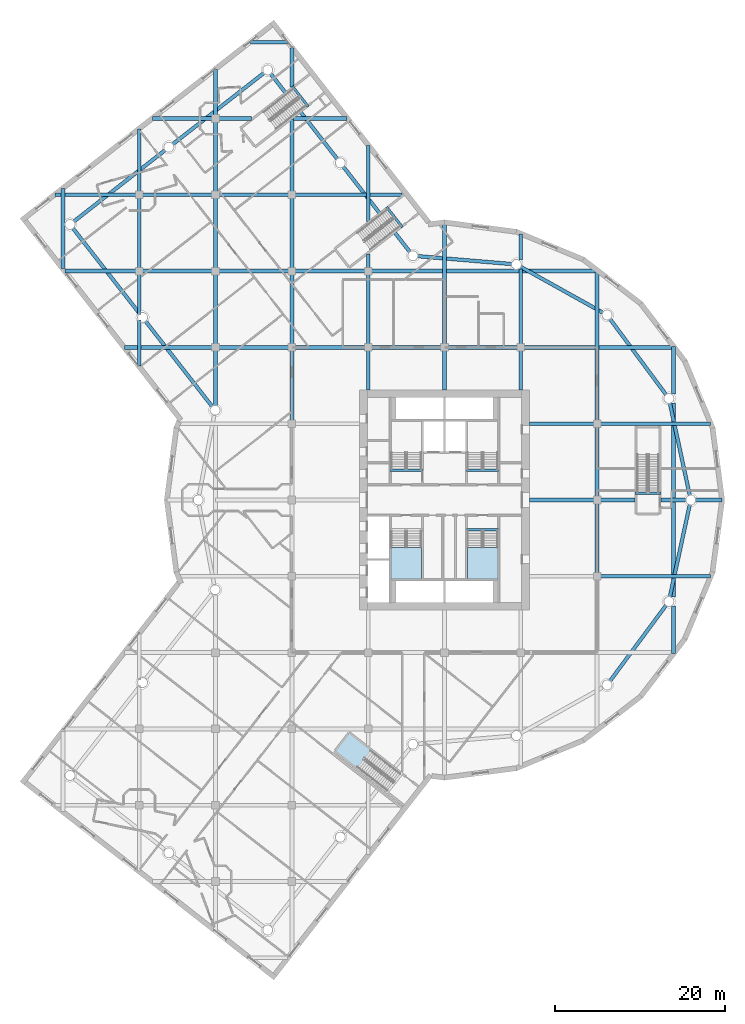
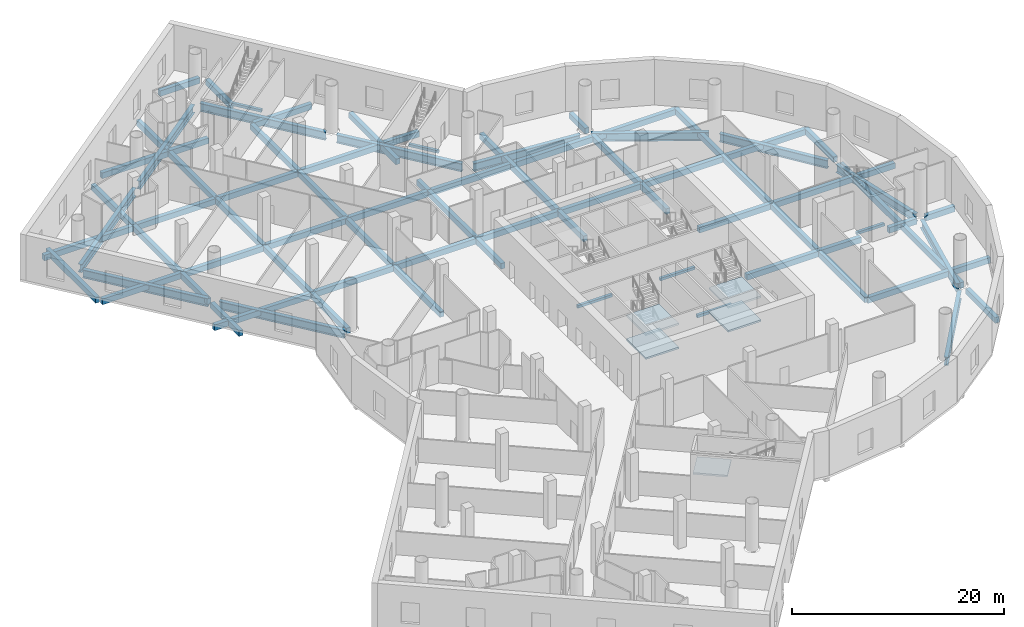
# One storey, part 2 of 23: 74 beams, 5 slabs, 3 elements without a shape of their own.
"""IFC4 building model written with IfcOpenShell, lengths in metres."""

from ifc_helpers import new_model, si_unit, direction, frame, origin, origin_2d, place, context, subcontext, project, spatial, polyline, rectangle, i_section, outline, extrude, material, layer, layer_set, material_profile, profile_set, type_object, element, aggregate, save


model = new_model("IFC4")

# Units and contexts
model_context = context("Model", 3, precision=1e-05, world=origin(), true_north=direction((0.0, 1.0)))
body_context = subcontext(model_context, "Body", "Model", "MODEL_VIEW")
ifc_project = project(units=[si_unit("LENGTHUNIT", "METRE"), si_unit("AREAUNIT", "SQUARE_METRE"), si_unit("VOLUMEUNIT", "CUBIC_METRE"), si_unit("PLANEANGLEUNIT", "RADIAN"), si_unit("MASSUNIT", "GRAM", prefix="KILO")], contexts=[model_context])

# Site, building, storey
site_placement = place(None, origin())
site = spatial("IfcSite", under=ifc_project, at=site_placement, CompositionType="ELEMENT")
building_placement = place(site_placement, origin())
building = spatial("IfcBuilding", under=site, at=building_placement, Name="Tarsis Ring Headquarters", CompositionType="ELEMENT")
storey_placement = place(building_placement, frame((0.0, 0.0, 19.5)))
storey = spatial("IfcBuildingStorey", under=building, at=storey_placement, Name="L03", CompositionType="ELEMENT", Elevation=19.5)

# Beams
ifc_material_1 = material(Name="Concrete C40/50", Category="concrete")
ifc_material_profile_1 = material_profile(ifc_material_1, rectangle(XDim=0.449951171875, YDim=0.64990234375, at=origin_2d()), Name="PO-B450")
ifc_profile_set_1 = profile_set([ifc_material_profile_1], Name="Concrete C40/50")
beam_type_1 = type_object("IfcBeamType", Name="PO-B450", PredefinedType="BEAM", material=ifc_profile_set_1)
beam_1_placement = place(storey_placement, frame((-45.0, 27.3046875, -0.574951171875), z_axis=(0.0, 1.0, 0.0), x_axis=(-1.0, 0.0, 0.0)))
element("IfcBeam", 1, at=beam_1_placement, inside=storey, type_object=beam_type_1, Name="L03 floor beam 2", PredefinedType="BEAM", context=body_context, shape_type="SweptSolid", body=[
    extrude(rectangle(XDim=0.449951171875, YDim=0.64990234375, at=origin_2d()), origin(), (0.0, 0.0, 1.0), 9.42724609375),
])
beam_2_placement = place(storey_placement, frame((-36.0, 15.78515625, -0.574951171875), z_axis=(0.0, 1.0, 0.0), x_axis=(-1.0, 0.0, 0.0)))
element("IfcBeam", 2, at=beam_2_placement, inside=storey, type_object=beam_type_1, Name="L03 floor beam 7", PredefinedType="BEAM", context=body_context, shape_type="SweptSolid", body=[
    extrude(rectangle(XDim=0.449951171875, YDim=0.64990234375, at=origin_2d()), origin(), (0.0, 0.0, 1.0), 5.44140625),
])
beam_3_placement = place(storey_placement, frame((-36.0, 21.853515625, -0.574951171875), z_axis=(0.0, 1.0, 0.0), x_axis=(-1.0, 0.0, 0.0)))
element("IfcBeam", 3, at=beam_3_placement, inside=storey, type_object=beam_type_1, Name="L03 floor beam 8", PredefinedType="BEAM", context=body_context, shape_type="SweptSolid", body=[
    extrude(rectangle(XDim=0.449951171875, YDim=0.64990234375, at=origin_2d()), origin(), (0.0, 0.0, 1.0), 5.146484375),
])
beam_4_placement = place(storey_placement, frame((-36.0, 27.0, -0.574951171875), z_axis=(0.0, 1.0, 0.0), x_axis=(-1.0, 0.0, 0.0)))
element("IfcBeam", 4, at=beam_4_placement, inside=storey, type_object=beam_type_1, Name="L03 floor beam 9", PredefinedType="BEAM", context=body_context, shape_type="SweptSolid", body=[
    extrude(rectangle(XDim=0.449951171875, YDim=0.64990234375, at=origin_2d()), origin(), (0.0, 0.0, 1.0), 9.0),
])
beam_5_placement = place(storey_placement, frame((-36.0, 36.0, -0.574951171875), z_axis=(0.0, 1.0, 0.0), x_axis=(-1.0, 0.0, 0.0)))
element("IfcBeam", 5, at=beam_5_placement, inside=storey, type_object=beam_type_1, Name="L03 floor beam 10", PredefinedType="BEAM", context=body_context, shape_type="SweptSolid", body=[
    extrude(rectangle(XDim=0.449951171875, YDim=0.64990234375, at=origin_2d()), origin(), (0.0, 0.0, 1.0), 7.763671875),
])
beam_6_placement = place(storey_placement, frame((-27.0, 11.082275390625, -0.574951171875), z_axis=(0.0, 1.0, 0.0), x_axis=(-1.0, 0.0, 0.0)))
element("IfcBeam", 6, at=beam_6_placement, inside=storey, type_object=beam_type_1, Name="L03 floor beam 17", PredefinedType="BEAM", context=body_context, shape_type="SweptSolid", body=[
    extrude(rectangle(XDim=0.449951171875, YDim=0.64990234375, at=origin_2d()), origin(), (0.0, 0.0, 1.0), 6.917724609375),
])
for number, where, z_axis, x_axis, name in (
    (7, (-27.0, 18.0, -0.574951171875), (0.0, 1.0, 0.0), (-1.0, 0.0, 0.0), "L03 floor beam 18"),
    (8, (-27.0, 27.0, -0.574951171875), (0.0, 1.0, 0.0), (-1.0, 0.0, 0.0), "L03 floor beam 19"),
    (9, (-27.0, 36.0, -0.574951171875), (0.0, 1.0, 0.0), (-1.0, 0.0, 0.0), "L03 floor beam 20"),
):
    element("IfcBeam", number, at=place(storey_placement, frame(where, z_axis=z_axis, x_axis=x_axis)), inside=storey, type_object=beam_type_1, Name=name, PredefinedType="BEAM", context=body_context, shape_type="SweptSolid", body=[
        extrude(rectangle(XDim=0.449951171875, YDim=0.64990234375, at=origin_2d()), origin(), (0.0, 0.0, 1.0), 9.0),
    ])
beam_7_placement = place(storey_placement, frame((-27.0, 45.0, -0.574951171875), z_axis=(0.0, 1.0, 0.0), x_axis=(-1.0, 0.0, 0.0)))
element("IfcBeam", 10, at=beam_7_placement, inside=storey, type_object=beam_type_1, Name="L03 floor beam 21", PredefinedType="BEAM", context=body_context, shape_type="SweptSolid", body=[
    extrude(rectangle(XDim=0.449951171875, YDim=0.64990234375, at=origin_2d()), origin(), (0.0, 0.0, 1.0), 5.795166015625),
])
for number, where, z_axis, x_axis, name in (
    (11, (-18.0, 9.0, -0.574951171875), (0.0, 1.0, 0.0), (-1.0, 0.0, 0.0), "L03 floor beam 29"),
    (12, (-18.0, 18.0, -0.574951171875), (0.0, 1.0, 0.0), (-1.0, 0.0, 0.0), "L03 floor beam 30"),
    (13, (-18.0, 27.0, -0.574951171875), (0.0, 1.0, 0.0), (-1.0, 0.0, 0.0), "L03 floor beam 31"),
):
    element("IfcBeam", number, at=place(storey_placement, frame(where, z_axis=z_axis, x_axis=x_axis)), inside=storey, type_object=beam_type_1, Name=name, PredefinedType="BEAM", context=body_context, shape_type="SweptSolid", body=[
        extrude(rectangle(XDim=0.449951171875, YDim=0.64990234375, at=origin_2d()), origin(), (0.0, 0.0, 1.0), 9.0),
    ])
beam_8_placement = place(storey_placement, frame((-18.0, 36.0, -0.574951171875), z_axis=(0.0, 1.0, 0.0), x_axis=(-1.0, 0.0, 0.0)))
element("IfcBeam", 14, at=beam_8_placement, inside=storey, type_object=beam_type_1, Name="L03 floor beam 32", PredefinedType="BEAM", context=body_context, shape_type="SweptSolid", body=[
    extrude(rectangle(XDim=0.449951171875, YDim=0.64990234375, at=origin_2d()), origin(), (0.0, 0.0, 1.0), 8.8623046875),
])
beam_9_placement = place(storey_placement, frame((-18.0, 48.7314453125, -0.574951171875), z_axis=(0.0, 1.0, 0.0), x_axis=(-1.0, 0.0, 0.0)))
element("IfcBeam", 15, at=beam_9_placement, inside=storey, type_object=beam_type_1, Name="L03 floor beam 33", PredefinedType="BEAM", context=body_context, shape_type="SweptSolid", body=[
    extrude(rectangle(XDim=0.449951171875, YDim=0.64990234375, at=origin_2d()), origin(), (0.0, 0.0, 1.0), 4.60009765625),
])
beam_10_placement = place(storey_placement, frame((-9.0, 13.0, -0.574951171875), z_axis=(0.0, 1.0, 0.0), x_axis=(-1.0, 0.0, 0.0)))
element("IfcBeam", 16, at=beam_10_placement, inside=storey, type_object=beam_type_1, Name="L03 floor beam 38", PredefinedType="BEAM", context=body_context, shape_type="SweptSolid", body=[
    extrude(rectangle(XDim=0.449951171875, YDim=0.64990234375, at=origin_2d()), origin(), (0.0, 0.0, 1.0), 5.0),
])
beam_11_placement = place(storey_placement, frame((-9.0, 18.0, -0.574951171875), z_axis=(0.0, 1.0, 0.0), x_axis=(-1.0, 0.0, 0.0)))
element("IfcBeam", 17, at=beam_11_placement, inside=storey, type_object=beam_type_1, Name="L03 floor beam 39", PredefinedType="BEAM", context=body_context, shape_type="SweptSolid", body=[
    extrude(rectangle(XDim=0.449951171875, YDim=0.64990234375, at=origin_2d()), origin(), (0.0, 0.0, 1.0), 9.0),
])
beam_12_placement = place(storey_placement, frame((-9.0, 27.0, -0.574951171875), z_axis=(0.0, 1.0, 0.0), x_axis=(-1.0, 0.0, 0.0)))
element("IfcBeam", 18, at=beam_12_placement, inside=storey, type_object=beam_type_1, Name="L03 floor beam 40", PredefinedType="BEAM", context=body_context, shape_type="SweptSolid", body=[
    extrude(rectangle(XDim=0.449951171875, YDim=0.64990234375, at=origin_2d()), origin(), (0.0, 0.0, 1.0), 2.003173828125),
])
beam_13_placement = place(storey_placement, frame((-9.0, 32.872314453125, -0.574951171875), z_axis=(0.0, 1.0, 0.0), x_axis=(-1.0, 0.0, 0.0)))
element("IfcBeam", 19, at=beam_13_placement, inside=storey, type_object=beam_type_1, Name="L03 floor beam 41", PredefinedType="BEAM", context=body_context, shape_type="SweptSolid", body=[
    extrude(rectangle(XDim=0.449951171875, YDim=0.64990234375, at=origin_2d()), origin(), (0.0, 0.0, 1.0), 8.939697265625),
])
beam_14_placement = place(storey_placement, frame((0.0, 13.0, -0.574951171875), z_axis=(0.0, 1.0, 0.0), x_axis=(-1.0, 0.0, 0.0)))
element("IfcBeam", 20, at=beam_14_placement, inside=storey, type_object=beam_type_1, Name="L03 floor beam 44", PredefinedType="BEAM", context=body_context, shape_type="SweptSolid", body=[
    extrude(rectangle(XDim=0.449951171875, YDim=0.64990234375, at=origin_2d()), origin(), (0.0, 0.0, 1.0), 5.0),
])
beam_15_placement = place(storey_placement, frame((0.0, 18.0, -0.574951171875), z_axis=(0.0, 1.0, 0.0), x_axis=(-1.0, 0.0, 0.0)))
element("IfcBeam", 21, at=beam_15_placement, inside=storey, type_object=beam_type_1, Name="L03 floor beam 45", PredefinedType="BEAM", context=body_context, shape_type="SweptSolid", body=[
    extrude(rectangle(XDim=0.449951171875, YDim=0.64990234375, at=origin_2d()), origin(), (0.0, 0.0, 1.0), 14.70458984375),
])
beam_16_placement = place(storey_placement, frame((9.0, 13.0, -0.574951171875), z_axis=(0.0, 1.0, 0.0), x_axis=(-1.0, 0.0, 0.0)))
element("IfcBeam", 22, at=beam_16_placement, inside=storey, type_object=beam_type_1, Name="L03 floor beam 49", PredefinedType="BEAM", context=body_context, shape_type="SweptSolid", body=[
    extrude(rectangle(XDim=0.449951171875, YDim=0.64990234375, at=origin_2d()), origin(), (0.0, 0.0, 1.0), 5.0),
])
beam_17_placement = place(storey_placement, frame((9.0, 18.0, -0.574951171875), z_axis=(0.0, 1.0, 0.0), x_axis=(-1.0, 0.0, 0.0)))
element("IfcBeam", 23, at=beam_17_placement, inside=storey, type_object=beam_type_1, Name="L03 floor beam 50", PredefinedType="BEAM", context=body_context, shape_type="SweptSolid", body=[
    extrude(rectangle(XDim=0.449951171875, YDim=0.64990234375, at=origin_2d()), origin(), (0.0, 0.0, 1.0), 9.245361328125),
])
beam_18_placement = place(storey_placement, frame((9.0, 28.3212890625, -0.574951171875), z_axis=(0.0, 1.0, 0.0), x_axis=(-1.0, 0.0, 0.0)))
element("IfcBeam", 24, at=beam_18_placement, inside=storey, type_object=beam_type_1, Name="L03 floor beam 51", PredefinedType="BEAM", context=body_context, shape_type="SweptSolid", body=[
    extrude(rectangle(XDim=0.449951171875, YDim=0.64990234375, at=origin_2d()), origin(), (0.0, 0.0, 1.0), 3.050048828125),
])
for number, where, z_axis, x_axis, name in (
    (25, (18.0, -9.0, -0.574951171875), (0.0, 1.0, 0.0), (-1.0, 0.0, 0.0), "L03 floor beam 53"),
    (26, (18.0, 0.0, -0.574951171875), (0.0, 1.0, 0.0), (-1.0, 0.0, 0.0), "L03 floor beam 54"),
):
    element("IfcBeam", number, at=place(storey_placement, frame(where, z_axis=z_axis, x_axis=x_axis)), inside=storey, type_object=beam_type_1, Name=name, PredefinedType="BEAM", context=body_context, shape_type="SweptSolid", body=[
        extrude(rectangle(XDim=0.449951171875, YDim=0.64990234375, at=origin_2d()), origin(), (0.0, 0.0, 1.0), 9.0),
    ])
beam_19_placement = place(storey_placement, frame((18.0, 9.0, -0.574951171875), z_axis=(0.0, 1.0, 0.0), x_axis=(-1.0, 0.0, 0.0)))
element("IfcBeam", 27, at=beam_19_placement, inside=storey, type_object=beam_type_1, Name="L03 floor beam 55", PredefinedType="BEAM", context=body_context, shape_type="SweptSolid", body=[
    extrude(rectangle(XDim=0.449951171875, YDim=0.64990234375, at=origin_2d()), origin(), (0.0, 0.0, 1.0), 18.062255859375),
])
beam_20_placement = place(storey_placement, frame((27.0, -18.0810546875, -0.574951171875), z_axis=(0.0, 1.0, 0.0), x_axis=(-1.0, 0.0, 0.0)))
element("IfcBeam", 28, at=beam_20_placement, inside=storey, type_object=beam_type_1, Name="L03 floor beam 56", PredefinedType="BEAM", context=body_context, shape_type="SweptSolid", body=[
    extrude(rectangle(XDim=0.449951171875, YDim=0.64990234375, at=origin_2d()), origin(), (0.0, 0.0, 1.0), 5.58203125),
])
beam_21_placement = place(storey_placement, frame((27.0, -11.447998046875, -0.574951171875), z_axis=(0.0, 1.0, 0.0), x_axis=(-1.0, 0.0, 0.0)))
element("IfcBeam", 29, at=beam_21_placement, inside=storey, type_object=beam_type_1, Name="L03 floor beam 57", PredefinedType="BEAM", context=body_context, shape_type="SweptSolid", body=[
    extrude(rectangle(XDim=0.449951171875, YDim=0.64990234375, at=origin_2d()), origin(), (0.0, 0.0, 1.0), 22.89599609375),
])
beam_22_placement = place(storey_placement, frame((27.0, 12.4990234375, -0.574951171875), z_axis=(0.0, 1.0, 0.0), x_axis=(-1.0, 0.0, 0.0)))
element("IfcBeam", 30, at=beam_22_placement, inside=storey, type_object=beam_type_1, Name="L03 floor beam 58", PredefinedType="BEAM", context=body_context, shape_type="SweptSolid", body=[
    extrude(rectangle(XDim=0.449951171875, YDim=0.64990234375, at=origin_2d()), origin(), (0.0, 0.0, 1.0), 5.58203125),
])
beam_23_placement = place(storey_placement, frame((18.0, -9.0, -0.574951171875), z_axis=(1.0, 0.0, 0.0), x_axis=(0.0, 1.0, 0.0)))
element("IfcBeam", 31, at=beam_23_placement, inside=storey, type_object=beam_type_1, Name="L03 floor beam 81", PredefinedType="BEAM", context=body_context, shape_type="SweptSolid", body=[
    extrude(rectangle(XDim=0.449951171875, YDim=0.64990234375, at=origin_2d()), origin(), (0.0, 0.0, 1.0), 13.371337890625),
])
beam_24_placement = place(storey_placement, frame((10.0, 0.0, -0.574951171875), z_axis=(1.0, 0.0, 0.0), x_axis=(0.0, 1.0, 0.0)))
element("IfcBeam", 32, at=beam_24_placement, inside=storey, type_object=beam_type_1, Name="L03 floor beam 85", PredefinedType="BEAM", context=body_context, shape_type="SweptSolid", body=[
    extrude(rectangle(XDim=0.449951171875, YDim=0.64990234375, at=origin_2d()), origin(), (0.0, 0.0, 1.0), 8.0),
])
beam_25_placement = place(storey_placement, frame((18.0, 0.0, -0.574951171875), z_axis=(1.0, 0.0, 0.0), x_axis=(0.0, 1.0, 0.0)))
element("IfcBeam", 33, at=beam_25_placement, inside=storey, type_object=beam_type_1, Name="L03 floor beam 86", PredefinedType="BEAM", context=body_context, shape_type="SweptSolid", body=[
    extrude(rectangle(XDim=0.449951171875, YDim=0.64990234375, at=origin_2d()), origin(), (0.0, 0.0, 1.0), 4.47509765625),
])
beam_26_placement = place(storey_placement, frame((25.52490234375, 0.0, -0.574951171875), z_axis=(1.0, 0.0, 0.0), x_axis=(0.0, 1.0, 0.0)))
element("IfcBeam", 34, at=beam_26_placement, inside=storey, type_object=beam_type_1, Name="L03 floor beam 87", PredefinedType="BEAM", context=body_context, shape_type="SweptSolid", body=[
    extrude(rectangle(XDim=0.449951171875, YDim=0.64990234375, at=origin_2d()), origin(), (0.0, 0.0, 1.0), 3.023681640625),
])
beam_27_placement = place(storey_placement, frame((29.548583984375, 0.0, -0.574951171875), z_axis=(1.0, 0.0, 0.0), x_axis=(0.0, 1.0, 0.0)))
element("IfcBeam", 35, at=beam_27_placement, inside=storey, type_object=beam_type_1, Name="L03 floor beam 88", PredefinedType="BEAM", context=body_context, shape_type="SweptSolid", body=[
    extrude(rectangle(XDim=0.449951171875, YDim=0.64990234375, at=origin_2d()), origin(), (0.0, 0.0, 1.0), 3.156005859375),
])
beam_28_placement = place(storey_placement, frame((10.0, 9.0, -0.574951171875), z_axis=(1.0, 0.0, 0.0), x_axis=(0.0, 1.0, 0.0)))
element("IfcBeam", 36, at=beam_28_placement, inside=storey, type_object=beam_type_1, Name="L03 floor beam 91", PredefinedType="BEAM", context=body_context, shape_type="SweptSolid", body=[
    extrude(rectangle(XDim=0.449951171875, YDim=0.64990234375, at=origin_2d()), origin(), (0.0, 0.0, 1.0), 8.0),
])
beam_29_placement = place(storey_placement, frame((18.0, 9.0, -0.574951171875), z_axis=(1.0, 0.0, 0.0), x_axis=(0.0, 1.0, 0.0)))
element("IfcBeam", 37, at=beam_29_placement, inside=storey, type_object=beam_type_1, Name="L03 floor beam 92", PredefinedType="BEAM", context=body_context, shape_type="SweptSolid", body=[
    extrude(rectangle(XDim=0.449951171875, YDim=0.64990234375, at=origin_2d()), origin(), (0.0, 0.0, 1.0), 13.371337890625),
])
beam_30_placement = place(storey_placement, frame((-37.730224609375, 18.0, -0.574951171875), z_axis=(1.0, 0.0, 0.0), x_axis=(0.0, 1.0, 0.0)))
element("IfcBeam", 38, at=beam_30_placement, inside=storey, type_object=beam_type_1, Name="L03 floor beam 93", PredefinedType="BEAM", context=body_context, shape_type="SweptSolid", body=[
    extrude(rectangle(XDim=0.449951171875, YDim=0.64990234375, at=origin_2d()), origin(), (0.0, 0.0, 1.0), 10.730224609375),
])
for number, where, z_axis, x_axis, name in (
    (39, (-27.0, 18.0, -0.574951171875), (1.0, 0.0, 0.0), (0.0, 1.0, 0.0), "L03 floor beam 94"),
    (40, (-18.0, 18.0, -0.574951171875), (1.0, 0.0, 0.0), (0.0, 1.0, 0.0), "L03 floor beam 95"),
    (41, (-9.0, 18.0, -0.574951171875), (1.0, 0.0, 0.0), (0.0, 1.0, 0.0), "L03 floor beam 96"),
    (42, (0.0, 18.0, -0.574951171875), (1.0, 0.0, 0.0), (0.0, 1.0, 0.0), "L03 floor beam 97"),
):
    element("IfcBeam", number, at=place(storey_placement, frame(where, z_axis=z_axis, x_axis=x_axis)), inside=storey, type_object=beam_type_1, Name=name, PredefinedType="BEAM", context=body_context, shape_type="SweptSolid", body=[
        extrude(rectangle(XDim=0.449951171875, YDim=0.64990234375, at=origin_2d()), origin(), (0.0, 0.0, 1.0), 9.0),
    ])
beam_31_placement = place(storey_placement, frame((9.0, 18.0, -0.574951171875), z_axis=(1.0, 0.0, 0.0), x_axis=(0.0, 1.0, 0.0)))
element("IfcBeam", 43, at=beam_31_placement, inside=storey, type_object=beam_type_1, Name="L03 floor beam 98", PredefinedType="BEAM", context=body_context, shape_type="SweptSolid", body=[
    extrude(rectangle(XDim=0.449951171875, YDim=0.64990234375, at=origin_2d()), origin(), (0.0, 0.0, 1.0), 18.062255859375),
])
beam_32_placement = place(storey_placement, frame((-44.761962890625, 27.0, -0.574951171875), z_axis=(1.0, 0.0, 0.0), x_axis=(0.0, 1.0, 0.0)))
element("IfcBeam", 44, at=beam_32_placement, inside=storey, type_object=beam_type_1, Name="L03 floor beam 99", PredefinedType="BEAM", context=body_context, shape_type="SweptSolid", body=[
    extrude(rectangle(XDim=0.449951171875, YDim=0.64990234375, at=origin_2d()), origin(), (0.0, 0.0, 1.0), 8.761962890625),
])
for number, where, z_axis, x_axis, name in (
    (45, (-36.0, 27.0, -0.574951171875), (1.0, 0.0, 0.0), (0.0, 1.0, 0.0), "L03 floor beam 100"),
    (46, (-27.0, 27.0, -0.574951171875), (1.0, 0.0, 0.0), (0.0, 1.0, 0.0), "L03 floor beam 101"),
    (47, (-18.0, 27.0, -0.574951171875), (1.0, 0.0, 0.0), (0.0, 1.0, 0.0), "L03 floor beam 102"),
):
    element("IfcBeam", number, at=place(storey_placement, frame(where, z_axis=z_axis, x_axis=x_axis)), inside=storey, type_object=beam_type_1, Name=name, PredefinedType="BEAM", context=body_context, shape_type="SweptSolid", body=[
        extrude(rectangle(XDim=0.449951171875, YDim=0.64990234375, at=origin_2d()), origin(), (0.0, 0.0, 1.0), 9.0),
    ])
beam_33_placement = place(storey_placement, frame((-9.0, 27.0, -0.574951171875), z_axis=(1.0, 0.0, 0.0), x_axis=(0.0, 1.0, 0.0)))
element("IfcBeam", 48, at=beam_33_placement, inside=storey, type_object=beam_type_1, Name="L03 floor beam 103", PredefinedType="BEAM", context=body_context, shape_type="SweptSolid", body=[
    extrude(rectangle(XDim=0.449951171875, YDim=0.64990234375, at=origin_2d()), origin(), (0.0, 0.0, 1.0), 27.0810546875),
])
beam_34_placement = place(storey_placement, frame((-45.93701171875, 36.0, -0.574951171875), z_axis=(1.0, 0.0, 0.0), x_axis=(0.0, 1.0, 0.0)))
element("IfcBeam", 49, at=beam_34_placement, inside=storey, type_object=beam_type_1, Name="L03 floor beam 104", PredefinedType="BEAM", context=body_context, shape_type="SweptSolid", body=[
    extrude(rectangle(XDim=0.449951171875, YDim=0.64990234375, at=origin_2d()), origin(), (0.0, 0.0, 1.0), 9.93701171875),
])
for number, where, z_axis, x_axis, name in (
    (50, (-36.0, 36.0, -0.574951171875), (1.0, 0.0, 0.0), (0.0, 1.0, 0.0), "L03 floor beam 105"),
    (51, (-27.0, 36.0, -0.574951171875), (1.0, 0.0, 0.0), (0.0, 1.0, 0.0), "L03 floor beam 106"),
):
    element("IfcBeam", number, at=place(storey_placement, frame(where, z_axis=z_axis, x_axis=x_axis)), inside=storey, type_object=beam_type_1, Name=name, PredefinedType="BEAM", context=body_context, shape_type="SweptSolid", body=[
        extrude(rectangle(XDim=0.449951171875, YDim=0.64990234375, at=origin_2d()), origin(), (0.0, 0.0, 1.0), 9.0),
    ])
beam_35_placement = place(storey_placement, frame((-18.0, 36.0, -0.574951171875), z_axis=(1.0, 0.0, 0.0), x_axis=(0.0, 1.0, 0.0)))
element("IfcBeam", 52, at=beam_35_placement, inside=storey, type_object=beam_type_1, Name="L03 floor beam 107", PredefinedType="BEAM", context=body_context, shape_type="SweptSolid", body=[
    extrude(rectangle(XDim=0.449951171875, YDim=0.64990234375, at=origin_2d()), origin(), (0.0, 0.0, 1.0), 13.0068359375),
])
beam_36_placement = place(storey_placement, frame((-34.41748046875, 45.0, -0.574951171875), z_axis=(1.0, 0.0, 0.0), x_axis=(0.0, 1.0, 0.0)))
element("IfcBeam", 53, at=beam_36_placement, inside=storey, type_object=beam_type_1, Name="L03 floor beam 108", PredefinedType="BEAM", context=body_context, shape_type="SweptSolid", body=[
    extrude(rectangle(XDim=0.449951171875, YDim=0.64990234375, at=origin_2d()), origin(), (0.0, 0.0, 1.0), 7.41748046875),
])
beam_37_placement = place(storey_placement, frame((-27.0, 45.0, -0.574951171875), z_axis=(1.0, 0.0, 0.0), x_axis=(0.0, 1.0, 0.0)))
element("IfcBeam", 54, at=beam_37_placement, inside=storey, type_object=beam_type_1, Name="L03 floor beam 109", PredefinedType="BEAM", context=body_context, shape_type="SweptSolid", body=[
    extrude(rectangle(XDim=0.449951171875, YDim=0.64990234375, at=origin_2d()), origin(), (0.0, 0.0, 1.0), 4.219482421875),
])
beam_38_placement = place(storey_placement, frame((-17.82373046875, 45.0, -0.574951171875), z_axis=(1.0, 0.0, 0.0), x_axis=(0.0, 1.0, 0.0)))
element("IfcBeam", 55, at=beam_38_placement, inside=storey, type_object=beam_type_1, Name="L03 floor beam 110", PredefinedType="BEAM", context=body_context, shape_type="SweptSolid", body=[
    extrude(rectangle(XDim=0.449951171875, YDim=0.64990234375, at=origin_2d()), origin(), (0.0, 0.0, 1.0), 6.3330078125),
])
beam_39_placement = place(storey_placement, frame((-22.89794921875, 54.0, -0.574951171875), z_axis=(1.0, 0.0, 0.0), x_axis=(0.0, 1.0, 0.0)))
element("IfcBeam", 56, at=beam_39_placement, inside=storey, type_object=beam_type_1, Name="L03 floor beam 111", PredefinedType="BEAM", context=body_context, shape_type="SweptSolid", body=[
    extrude(rectangle(XDim=0.449951171875, YDim=0.64990234375, at=origin_2d()), origin(), (0.0, 0.0, 1.0), 4.375732421875),
])
ifc_material_2 = material(Name="Concrete C60/75", Category="concrete")
ifc_material_profile_2 = material_profile(ifc_material_2, rectangle(XDim=0.300048828125, YDim=0.300048828125, at=origin_2d()), Name="PO-SHB300")
ifc_profile_set_2 = profile_set([ifc_material_profile_2], Name="Concrete C60/75")
beam_type_2 = type_object("IfcBeamType", Name="PO-SHB300", PredefinedType="BEAM", material=ifc_profile_set_2)
beam_40_placement = place(storey_placement, frame((25.52490234375, 0.780029296875, -0.39990234375), z_axis=(-1.0, 0.0, 0.0), x_axis=(0.0, -1.0, 0.0)))
element("IfcBeam", 57, at=beam_40_placement, inside=storey, type_object=beam_type_2, Name="Stair head beam L03 PS1", PredefinedType="BEAM", context=body_context, shape_type="SweptSolid", body=[
    extrude(rectangle(XDim=0.300048828125, YDim=0.300048828125, at=origin_2d()), origin(), (0.0, 0.0, 1.0), 3.0498046875),
])
beam_41_placement = place(storey_placement, frame((-6.83203125, 34.564697265625, -0.39990234375), z_axis=(0.615308465652, -0.788286427701, 0.0), x_axis=(0.788286427701, 0.615308465652, 0.0)))
element("IfcBeam", 58, at=beam_41_placement, inside=storey, type_object=beam_type_2, Name="Stair head beam L03 PS3", PredefinedType="BEAM", context=body_context, shape_type="SweptSolid", body=[
    extrude(rectangle(XDim=0.300048828125, YDim=0.300048828125, at=origin_2d()), origin(), (0.0, 0.0, 1.0), 3.050048828125),
])
beam_42_placement = place(storey_placement, frame((-17.93212890625, 48.78466796875, -0.39990234375), z_axis=(0.615358201785, -0.788247602911, 0.0), x_axis=(0.788247602911, 0.615358201785, 0.0)))
element("IfcBeam", 59, at=beam_42_placement, inside=storey, type_object=beam_type_2, Name="Stair head beam L03 PS4", PredefinedType="BEAM", context=body_context, shape_type="SweptSolid", body=[
    extrude(rectangle(XDim=0.300048828125, YDim=0.300048828125, at=origin_2d()), origin(), (0.0, 0.0, 1.0), 3.05029296875),
])
ifc_material_profile_3 = material_profile(ifc_material_1, rectangle(XDim=0.300048828125, YDim=0.300048828125, at=origin_2d()), Name="Stair head beam 300x300 C40/50")
ifc_profile_set_3 = profile_set([ifc_material_profile_3], Name="Concrete C40/50")
beam_type_3 = type_object("IfcBeamType", Name="Stair head beam 300x300 C40/50", PredefinedType="BEAM", material=ifc_profile_set_3)
for number, where, z_axis, x_axis, name in (
    (60, (-6.39990234375, 3.510009765625, -0.39990234375), (1.0, 0.0, 0.0), (0.0, 1.0, 0.0), "Stair head beam L03 Firefighting stair"),
    (61, (2.60009765625, 3.510009765625, -0.39990234375), (1.0, 0.0, 0.0), (0.0, 1.0, 0.0), "Stair head beam L03 Exit stair B"),
    (62, (2.60009765625, -3.510009765625, -0.39990234375), (1.0, 0.0, 0.0), (0.0, 1.0, 0.0), "Stair head beam L03 Exit stair D"),
):
    element("IfcBeam", number, at=place(storey_placement, frame(where, z_axis=z_axis, x_axis=x_axis)), inside=storey, type_object=beam_type_3, Name=name, PredefinedType="BEAM", context=body_context, shape_type="SweptSolid", body=[
        extrude(rectangle(XDim=0.300048828125, YDim=0.300048828125, at=origin_2d()), origin(), (0.0, 0.0, 1.0), 3.7998046875),
    ])
ifc_material_3 = material(Name="Structural steel S355", Category="steel")
ifc_material_profile_4 = material_profile(ifc_material_3, i_section(OverallWidth=0.42431640625, OverallDepth=0.947509765625, WebThickness=0.02392578125, FlangeThickness=0.042724609375, at=origin_2d()), Name="W36x302")
ifc_profile_set_4 = profile_set([ifc_material_profile_4], Name="Structural steel S355")
beam_type_4 = type_object("IfcBeamType", Name="XG Ring girder W36x302", PredefinedType="BEAM", material=ifc_profile_set_4)
for number, where, z_axis, x_axis, name in (
    (63, (19.504150390625, -21.377197265625, -0.7236328125), (0.595024911632, 0.80370725674, 0.0), (-0.80370725674, 0.595024911632, 0.0), "Ring girder XG1"),
    (64, (26.581787109375, -11.437255859375, -0.7236328125), (0.2108296684, 0.977522813505, 0.0), (-0.977522813505, 0.2108296684, 0.0), "Ring girder XG1"),
    (65, (28.932861328125, 0.536376953125, -0.7236328125), (-0.2108296684, 0.977522813505, 0.0), (-0.977522813505, -0.2108296684, 0.0), "Ring girder XG1"),
    (66, (26.1396484375, 12.41455078125, -0.7236328125), (-0.595024911632, 0.80370725674, 0.0), (-0.80370725674, -0.595024911632, 0.0), "Ring girder XG1"),
    (67, (18.698486328125, 22.085205078125, -0.7236328125), (-0.873397184148, 0.487008581776, 0.0), (-0.487008581776, -0.873397184148, 0.0), "Ring girder XG1"),
):
    element("IfcBeam", number, at=place(storey_placement, frame(where, z_axis=z_axis, x_axis=x_axis)), inside=storey, type_object=beam_type_4, Name=name, PredefinedType="BEAM", context=body_context, shape_type="SweptSolid", body=[
        extrude(i_section(OverallWidth=0.42431640625, OverallDepth=0.947509765625, WebThickness=0.02392578125, FlangeThickness=0.042724609375, at=origin_2d()), origin(), (0.0, 0.0, 1.0), 11.151611328125),
    ])
beam_43_placement = place(storey_placement, frame((7.932861328125, 27.8291015625, -0.7236328125), z_axis=(-0.996489363019, 0.083719468411, 0.0), x_axis=(-0.083719468411, -0.996489363019, 0.0)))
element("IfcBeam", 68, at=beam_43_placement, inside=storey, type_object=beam_type_4, Name="Ring girder XG1", PredefinedType="BEAM", context=body_context, shape_type="SweptSolid", body=[
    extrude(i_section(OverallWidth=0.42431640625, OverallDepth=0.947509765625, WebThickness=0.02392578125, FlangeThickness=0.042724609375, at=origin_2d()), origin(), (0.0, 0.0, 1.0), 11.1513671875),
])
for number, where, z_axis, x_axis, name in (
    (69, (-4.06396484375, 29.240966796875, -0.7236328125), (-0.615666981287, 0.788006451847, 0.0), (-0.788006451847, -0.615666981287, 0.0), "Ring girder XG1"),
    (70, (-12.623046875, 40.196044921875, -0.7236328125), (-0.615666981287, 0.788006451847, 0.0), (-0.788006451847, -0.615666981287, 0.0), "Ring girder XG1"),
):
    element("IfcBeam", number, at=place(storey_placement, frame(where, z_axis=z_axis, x_axis=x_axis)), inside=storey, type_object=beam_type_4, Name=name, PredefinedType="BEAM", context=body_context, shape_type="SweptSolid", body=[
        extrude(i_section(OverallWidth=0.42431640625, OverallDepth=0.947509765625, WebThickness=0.02392578125, FlangeThickness=0.042724609375, at=origin_2d()), origin(), (0.0, 0.0, 1.0), 12.804931640625),
    ])
for number, where, z_axis, x_axis, name in (
    (71, (-21.276611328125, 50.380859375, -0.7236328125), (-0.788023563374, -0.61564507922, 0.0), (0.61564507922, -0.788023563374, 0.0), "Ring girder XG1"),
    (72, (-32.939208984375, 41.269287109375, -0.7236328125), (-0.7880081664, -0.615664786785, 0.0), (0.615664786785, -0.7880081664, 0.0), "Ring girder XG1"),
):
    element("IfcBeam", number, at=place(storey_placement, frame(where, z_axis=z_axis, x_axis=x_axis)), inside=storey, type_object=beam_type_4, Name=name, PredefinedType="BEAM", context=body_context, shape_type="SweptSolid", body=[
        extrude(i_section(OverallWidth=0.42431640625, OverallDepth=0.947509765625, WebThickness=0.02392578125, FlangeThickness=0.042724609375, at=origin_2d()), origin(), (0.0, 0.0, 1.0), 13.70263671875),
    ])
for number, where, z_axis, x_axis, name in (
    (73, (-43.831787109375, 32.062744140625, -0.7236328125), (0.615666981287, -0.788006451847, 0.0), (0.788006451847, 0.615666981287, 0.0), "Ring girder XG1"),
    (74, (-35.272705078125, 21.107666015625, -0.7236328125), (0.615666981287, -0.788006451847, 0.0), (0.788006451847, 0.615666981287, 0.0), "Ring girder XG1"),
):
    element("IfcBeam", number, at=place(storey_placement, frame(where, z_axis=z_axis, x_axis=x_axis)), inside=storey, type_object=beam_type_4, Name=name, PredefinedType="BEAM", context=body_context, shape_type="SweptSolid", body=[
        extrude(i_section(OverallWidth=0.42431640625, OverallDepth=0.947509765625, WebThickness=0.02392578125, FlangeThickness=0.042724609375, at=origin_2d()), origin(), (0.0, 0.0, 1.0), 12.804931640625),
    ])

# Stair, slabs
ifc_material_4 = material(Name="Core stair 1760")
stair_type_1 = type_object("IfcStairType", Name="Core stair 1760", PredefinedType="HALF_TURN_STAIR", material=ifc_material_4)
stair_1_placement = place(storey_placement, origin())
stair_1 = element("IfcStair", 75, at=stair_1_placement, inside=storey, type_object=stair_type_1, Name="L03 Exit stair C", PredefinedType="HALF_TURN_STAIR")
ifc_layer_1 = layer(ifc_material_1, 0.199951171875)
ifc_layer_set_1 = layer_set([ifc_layer_1], Name="Core stair landing 200")
slab_type_1 = type_object("IfcSlabType", Name="Core stair landing 200", PredefinedType="LANDING", material=ifc_layer_set_1)
slab_1_placement = place(storey_placement, frame((0.0, 0.0, 1.175048828125)))
slab_1 = element("IfcSlab", 76, at=slab_1_placement, type_object=slab_type_1, Name="Stair ST3 landing 1", PredefinedType="LANDING", context=body_context, shape_type="SweptSolid", body=[
    extrude(outline(polyline([(-6.300048828125, -5.6201171875), (-6.300048828125, -9.300048828125), (-2.699951171875, -9.300048828125), (-2.699951171875, -5.6201171875), (-6.300048828125, -5.6201171875)])), origin(), (0.0, 0.0, 1.0), 0.199951171875),
])
slab_2_placement = place(storey_placement, frame((0.0, 0.0, 3.925048828125)))
slab_2 = element("IfcSlab", 77, at=slab_2_placement, type_object=slab_type_1, Name="Stair ST3 landing 3", PredefinedType="LANDING", context=body_context, shape_type="SweptSolid", body=[
    extrude(outline(polyline([(-6.300048828125, -5.6201171875), (-6.300048828125, -9.300048828125), (-2.699951171875, -9.300048828125), (-2.699951171875, -5.6201171875), (-6.300048828125, -5.6201171875)])), origin(), (0.0, 0.0, 1.0), 0.199951171875),
])
aggregate(stair_1, [slab_1, slab_2])

stair_2_placement = place(storey_placement, origin())
stair_2 = element("IfcStair", 78, at=stair_2_placement, inside=storey, type_object=stair_type_1, Name="L03 Exit stair D", PredefinedType="HALF_TURN_STAIR")
slab_3_placement = place(storey_placement, frame((0.0, 0.0, 1.175048828125)))
slab_3 = element("IfcSlab", 79, at=slab_3_placement, type_object=slab_type_1, Name="Stair ST4 landing 1", PredefinedType="LANDING", context=body_context, shape_type="SweptSolid", body=[
    extrude(outline(polyline([(2.699951171875, -5.6201171875), (2.699951171875, -9.300048828125), (6.300048828125, -9.300048828125), (6.300048828125, -5.6201171875), (2.699951171875, -5.6201171875)])), origin(), (0.0, 0.0, 1.0), 0.199951171875),
])
slab_4_placement = place(storey_placement, frame((0.0, 0.0, 3.925048828125)))
slab_4 = element("IfcSlab", 80, at=slab_4_placement, type_object=slab_type_1, Name="Stair ST4 landing 3", PredefinedType="LANDING", context=body_context, shape_type="SweptSolid", body=[
    extrude(outline(polyline([(2.699951171875, -5.6201171875), (2.699951171875, -9.300048828125), (6.300048828125, -9.300048828125), (6.300048828125, -5.6201171875), (2.699951171875, -5.6201171875)])), origin(), (0.0, 0.0, 1.0), 0.199951171875),
])
aggregate(stair_2, [slab_3, slab_4])

# Stair, slab
stair_type_2 = type_object("IfcStairType", Name="PO-ST", PredefinedType="HALF_TURN_STAIR", material=ifc_material_1)
stair_3_placement = place(storey_placement, origin())
stair_3 = element("IfcStair", 81, at=stair_3_placement, inside=storey, type_object=stair_type_2, Name="L03 Podium stair", PredefinedType="HALF_TURN_STAIR")
ifc_layer_2 = layer(ifc_material_1, 0.199951171875)
ifc_layer_set_2 = layer_set([ifc_layer_2], Name="PO-STL")
slab_type_2 = type_object("IfcSlabType", Name="PO-STL", PredefinedType="LANDING", material=ifc_layer_set_2)
slab_5_placement = place(storey_placement, frame((0.0, 0.0, 2.550048828125)))
slab_5 = element("IfcSlab", 82, at=slab_5_placement, type_object=slab_type_2, Name="Stair PS2 landing 1", PredefinedType="LANDING", context=body_context, shape_type="SweptSolid", body=[
    extrude(outline(polyline([(-8.63525390625, -29.52880859375), (-11.220703125, -27.5107421875), (-12.86376953125, -29.615234375), (-10.278076171875, -31.633544921875), (-8.63525390625, -29.52880859375)])), origin(), (0.0, 0.0, 1.0), 0.199951171875),
])
aggregate(stair_3, [slab_5])

save(model, "model.ifc")
